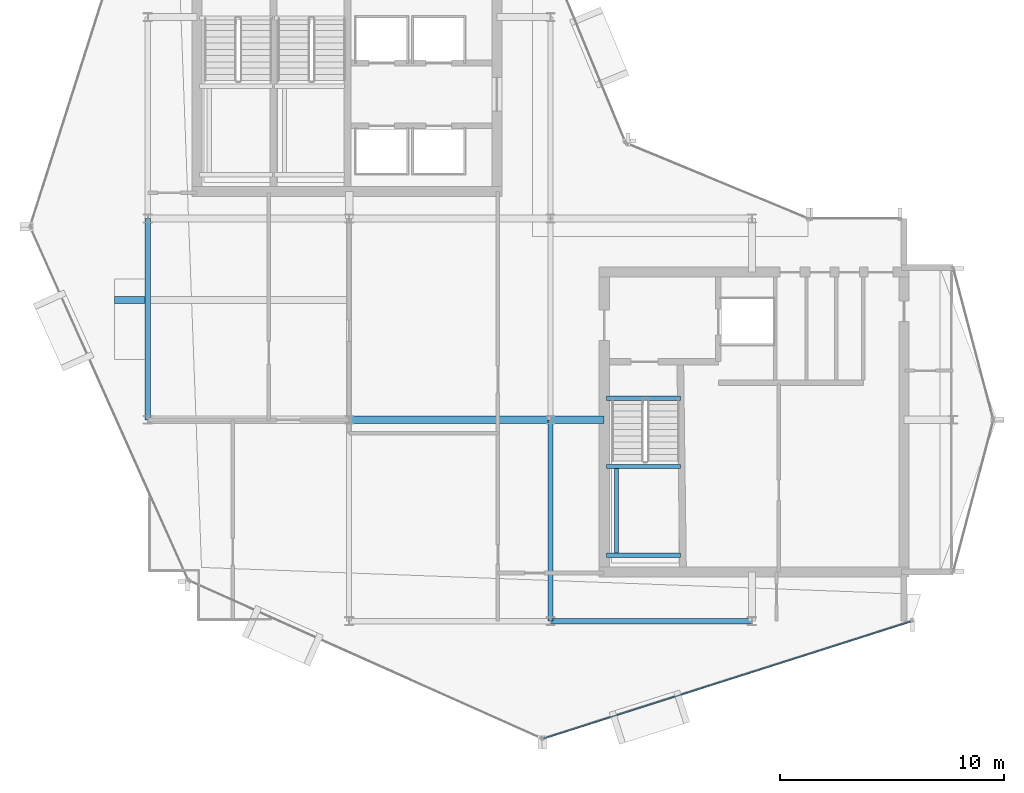
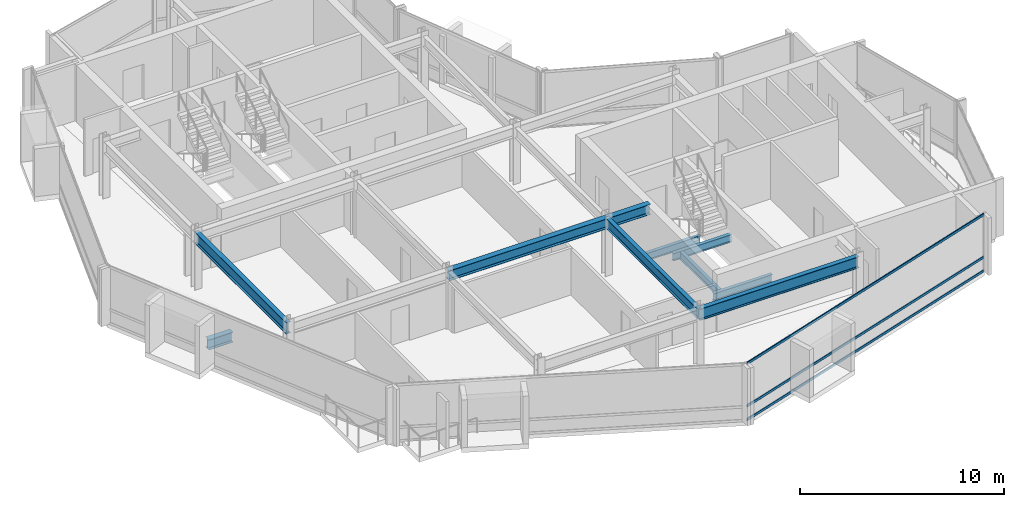
# One storey, part 5 of 19: 10 beams, 3 members, 1 element without a shape of its own.
"""IFC4 building model written with IfcOpenShell, lengths in metres."""

from ifc_helpers import new_model, si_unit, direction, frame, origin, origin_2d, place, context, subcontext, project, spatial, hollow_rectangle, i_section, extrude, material, layer, layer_set, material_profile, profile_set, type_object, element, aggregate, save


model = new_model("IFC4")

# Units and contexts
model_context = context("Model", 3, precision=1e-05, world=origin(), true_north=direction((0.0, 1.0)))
body_context = subcontext(model_context, "Body", "Model", "MODEL_VIEW")
ifc_project = project(units=[si_unit("LENGTHUNIT", "METRE"), si_unit("AREAUNIT", "SQUARE_METRE"), si_unit("VOLUMEUNIT", "CUBIC_METRE"), si_unit("PLANEANGLEUNIT", "RADIAN"), si_unit("MASSUNIT", "GRAM", prefix="KILO")], contexts=[model_context])

# Site, building, storey
site_placement = place(None, origin())
site = spatial("IfcSite", under=ifc_project, at=site_placement, CompositionType="ELEMENT")
building_placement = place(site_placement, origin())
building = spatial("IfcBuilding", under=site, at=building_placement, Name="Solvaryn Broadcast Tower", CompositionType="ELEMENT")
storey_placement = place(building_placement, frame((0.0, 0.0, 270.39990234375)))
storey = spatial("IfcBuildingStorey", under=building, at=storey_placement, Name="L68", CompositionType="ELEMENT", Elevation=270.39990234375)

# Beams
ifc_material_1 = material(Name="Steel ASTM A992 Grade 50", Category="steel")
ifc_material_profile_1 = material_profile(ifc_material_1, i_section(OverallWidth=0.323974609375, OverallDepth=0.611083984375, WebThickness=0.0126953125, FlangeThickness=0.01904296875, FilletRadius=0.014892578125, at=origin_2d()))
ifc_profile_set_1 = profile_set([ifc_material_profile_1], Name="Steel ASTM A992 Grade 50")
beam_type_1 = type_object("IfcBeamType", Name="BM-B1-W24X104", PredefinedType="BEAM", material=ifc_profile_set_1)
beam_1_placement = place(storey_placement, frame((18.0, 18.0, 3.114501953125), z_axis=(1.0, 0.0, 0.0), x_axis=(0.0, 1.0, 0.0)))
element("IfcBeam", 1, at=beam_1_placement, inside=storey, type_object=beam_type_1, Name="L68 Primary Beam X (18-27 @ Y=18)", PredefinedType="BEAM", context=body_context, shape_type="SweptSolid", body=[
    extrude(i_section(OverallWidth=0.323974609375, OverallDepth=0.611083984375, WebThickness=0.0126953125, FlangeThickness=0.01904296875, FilletRadius=0.014892578125, at=origin_2d()), origin(), (0.0, 0.0, 1.0), 9.0),
])
beam_2_placement = place(storey_placement, frame((27.0, 18.0, 3.114501953125), z_axis=(1.0, 0.0, 0.0), x_axis=(0.0, 1.0, 0.0)))
element("IfcBeam", 2, at=beam_2_placement, inside=storey, type_object=beam_type_1, Name="L68 Core Tie Beam CTE4", PredefinedType="BEAM", context=body_context, shape_type="SweptSolid", body=[
    extrude(i_section(OverallWidth=0.323974609375, OverallDepth=0.611083984375, WebThickness=0.0126953125, FlangeThickness=0.01904296875, FilletRadius=0.014892578125, at=origin_2d()), origin(), (0.0, 0.0, 1.0), 2.39990234375),
])
ifc_material_2 = material(Name="Steel ASTM A992 Grade 50", Category="steel")
ifc_material_profile_2 = material_profile(ifc_material_2, i_section(OverallWidth=0.22802734375, OverallDepth=0.60791015625, WebThickness=0.01123046875, FlangeThickness=0.017333984375, FilletRadius=0.014892578125, at=origin_2d()))
ifc_profile_set_2 = profile_set([ifc_material_profile_2], Name="Steel ASTM A992 Grade 50")
beam_type_2 = type_object("IfcBeamType", Name="BM-B2-W24X76", PredefinedType="BEAM", material=ifc_profile_set_2)
beam_3_placement = place(storey_placement, frame((27.0, 9.0, 3.1162109375), z_axis=(0.0, 1.0, 0.0), x_axis=(-1.0, 0.0, 0.0)))
element("IfcBeam", 3, at=beam_3_placement, inside=storey, type_object=beam_type_2, Name="L68 Primary Beam Y (9-18 @ X=27)", PredefinedType="BEAM", context=body_context, shape_type="SweptSolid", body=[
    extrude(i_section(OverallWidth=0.22802734375, OverallDepth=0.60791015625, WebThickness=0.01123046875, FlangeThickness=0.017333984375, FilletRadius=0.014892578125, at=origin_2d()), origin(), (0.0, 0.0, 1.0), 9.0),
])
ifc_material_3 = material(Name="Steel ASTM A992 Grade 50", Category="steel")
ifc_material_profile_3 = material_profile(ifc_material_3, i_section(OverallWidth=0.18994140625, OverallDepth=0.45703125, WebThickness=0.009033203125, FlangeThickness=0.014404296875, FilletRadius=0.011962890625, at=origin_2d()))
ifc_profile_set_3 = profile_set([ifc_material_profile_3], Name="Steel ASTM A992 Grade 50")
beam_type_3 = type_object("IfcBeamType", Name="BM-B4-W18X50", PredefinedType="BEAM", material=ifc_profile_set_3)
for number, where, z_axis, x_axis, name in (
    (4, (29.5, 18.9599609375, -0.50830078125), (1.0, 0.0, 0.0), (0.0, 1.0, 0.0), "L68 ST3 Stair Well Trimmer Beam"),
    (5, (29.5, 11.949951171875, 1.421630859375), (1.0, 0.0, 0.0), (0.0, 1.0, 0.0), "L68 ST3 Landing Support Beam 1A"),
    (6, (29.5, 15.909912109375, 1.421630859375), (1.0, 0.0, 0.0), (0.0, 1.0, 0.0), "L68 ST3 Landing Support Beam 1B"),
):
    element("IfcBeam", number, at=place(storey_placement, frame(where, z_axis=z_axis, x_axis=x_axis)), inside=storey, type_object=beam_type_3, Name=name, PredefinedType="BEAM", context=body_context, shape_type="SweptSolid", body=[
        extrude(i_section(OverallWidth=0.18994140625, OverallDepth=0.45703125, WebThickness=0.009033203125, FlangeThickness=0.014404296875, FilletRadius=0.011962890625, at=origin_2d()), origin(), (0.0, 0.0, 1.0), 3.320068359375),
    ])
beam_4_placement = place(storey_placement, frame((29.949951171875, 11.949951171875, 1.421630859375), z_axis=(0.0, 1.0, 0.0), x_axis=(-1.0, 0.0, 0.0)))
element("IfcBeam", 7, at=beam_4_placement, inside=storey, type_object=beam_type_3, Name="L68 ST3 Landing Cross Stringer 1C", PredefinedType="BEAM", context=body_context, shape_type="SweptSolid", body=[
    extrude(i_section(OverallWidth=0.18994140625, OverallDepth=0.45703125, WebThickness=0.009033203125, FlangeThickness=0.014404296875, FilletRadius=0.011962890625, at=origin_2d()), origin(), (0.0, 0.0, 1.0), 3.9599609375),
])
ifc_material_4 = material(Name="Steel ASTM A992 Grade 50", Category="steel")
ifc_material_profile_4 = material_profile(ifc_material_4, i_section(OverallWidth=0.323974609375, OverallDepth=0.611083984375, WebThickness=0.0126953125, FlangeThickness=0.01904296875, FilletRadius=0.014892578125, at=origin_2d()))
ifc_profile_set_4 = profile_set([ifc_material_profile_4], Name="Steel ASTM A992 Grade 50")
beam_type_4 = type_object("IfcBeamType", Name="BM-CANT-TER", PredefinedType="BEAM", material=ifc_profile_set_4)
beam_5_placement = place(storey_placement, frame((8.875, 23.35009765625, -0.58544921875), z_axis=(-1.0, 0.0, 0.0), x_axis=(0.0, -1.0, 0.0)))
element("IfcBeam", 8, at=beam_5_placement, inside=storey, type_object=beam_type_4, Name="L68 Bay-Box Cantilever Bracket 1", PredefinedType="BEAM", context=body_context, shape_type="SweptSolid", body=[
    extrude(i_section(OverallWidth=0.323974609375, OverallDepth=0.611083984375, WebThickness=0.0126953125, FlangeThickness=0.01904296875, FilletRadius=0.014892578125, at=origin_2d()), origin(), (0.0, 0.0, 1.0), 1.375),
])
ifc_material_5 = material(Name="Steel ASTM A992 Grade 50", Category="steel")
ifc_material_profile_5 = material_profile(ifc_material_5, i_section(OverallWidth=0.256103515625, OverallDepth=0.693115234375, WebThickness=0.014404296875, FlangeThickness=0.023681640625, FilletRadius=0.01611328125, at=origin_2d()))
ifc_profile_set_5 = profile_set([ifc_material_profile_5], Name="Steel ASTM A992 Grade 50")
beam_type_5 = type_object("IfcBeamType", Name="BM-SP3-W27X114", PredefinedType="USERDEFINED", material=ifc_profile_set_5)
for number, where, z_axis, x_axis, name in (
    (9, (27.0, 9.0, 3.073486328125), (1.0, 0.0, 0.0), (0.0, 1.0, 0.0), "L68 Spandrel Beam X (27-36 @ Y=9)"),
    (10, (9.0, 18.0, 3.073486328125), (0.0, 1.0, 0.0), (-1.0, 0.0, 0.0), "L68 Spandrel Beam Y (18-27 @ X=9)"),
):
    element("IfcBeam", number, at=place(storey_placement, frame(where, z_axis=z_axis, x_axis=x_axis)), inside=storey, type_object=beam_type_5, Name=name, ObjectType="SPANDREL", PredefinedType="USERDEFINED", context=body_context, shape_type="SweptSolid", body=[
        extrude(i_section(OverallWidth=0.256103515625, OverallDepth=0.693115234375, WebThickness=0.014404296875, FlangeThickness=0.023681640625, FilletRadius=0.01611328125, at=origin_2d()), origin(), (0.0, 0.0, 1.0), 9.0),
    ])

# Curtain wall, members
ifc_material_6 = material(Name="Aluminium and Terracotta Unitised Curtain Wall", Category="masonry")
ifc_layer = layer(ifc_material_6, 0.199951171875)
ifc_layer_set = layer_set([ifc_layer], Name="CW-SYS2-LOWMID")
curtain_wall_type = type_object("IfcCurtainWallType", Name="CW-SYS2-LOWMID", PredefinedType="NOTDEFINED", material=ifc_layer_set)
curtain_wall_placement = place(storey_placement, origin())
curtain_wall = element("IfcCurtainWall", 11, at=curtain_wall_placement, inside=storey, type_object=curtain_wall_type, Name="L68 Curtain Wall DR4", PredefinedType="NOTDEFINED")
ifc_material_7 = material(Name="Anodised Aluminium 6063-T6", Category="aluminium")
ifc_material_profile_6 = material_profile(ifc_material_7, hollow_rectangle(XDim=0.06494140625, YDim=0.14990234375, WallThickness=0.00390625, InnerFilletRadius=0.00390625, OuterFilletRadius=0.008056640625, at=origin_2d()))
ifc_profile_set_6 = profile_set([ifc_material_profile_6], Name="Anodised Aluminium 6063-T6")
member_type = type_object("IfcMemberType", Name="CW-TRN-150", PredefinedType="USERDEFINED", material=ifc_profile_set_6)
member_1_placement = place(storey_placement, frame((26.693115234375, 3.756103515625, 0.030029296875), z_axis=(0.952794352661, 0.303616405252, 0.0), x_axis=(-0.303616405252, 0.952794352661, 0.0)))
member_1 = element("IfcMember", 12, at=member_1_placement, type_object=member_type, Name="CWS2 transom 1.1", ObjectType="TRANSOM", PredefinedType="USERDEFINED", context=body_context, shape_type="SweptSolid", body=[
    extrude(hollow_rectangle(XDim=0.06494140625, YDim=0.14990234375, WallThickness=0.00390625, InnerFilletRadius=0.00390625, OuterFilletRadius=0.008056640625, at=origin_2d()), origin(), (0.0, 0.0, 1.0), 17.211181640625),
])
member_2_placement = place(storey_placement, frame((26.693115234375, 3.756103515625, 0.85009765625), z_axis=(0.952794352661, 0.303616405252, 0.0), x_axis=(-0.303616405252, 0.952794352661, 0.0)))
member_2 = element("IfcMember", 13, at=member_2_placement, type_object=member_type, Name="CWS2 transom 1.2", ObjectType="TRANSOM", PredefinedType="USERDEFINED", context=body_context, shape_type="SweptSolid", body=[
    extrude(hollow_rectangle(XDim=0.06494140625, YDim=0.14990234375, WallThickness=0.00390625, InnerFilletRadius=0.00390625, OuterFilletRadius=0.008056640625, at=origin_2d()), origin(), (0.0, 0.0, 1.0), 17.211181640625),
])
member_3_placement = place(storey_placement, frame((26.693115234375, 3.756103515625, 3.39013671875), z_axis=(0.952794352661, 0.303616405252, 0.0), x_axis=(-0.303616405252, 0.952794352661, 0.0)))
member_3 = element("IfcMember", 14, at=member_3_placement, type_object=member_type, Name="CWS2 transom 1.3", ObjectType="TRANSOM", PredefinedType="USERDEFINED", context=body_context, shape_type="SweptSolid", body=[
    extrude(hollow_rectangle(XDim=0.06494140625, YDim=0.14990234375, WallThickness=0.00390625, InnerFilletRadius=0.00390625, OuterFilletRadius=0.008056640625, at=origin_2d()), origin(), (0.0, 0.0, 1.0), 17.211181640625),
])
aggregate(curtain_wall, [member_1, member_2, member_3])

save(model, "model.ifc")
